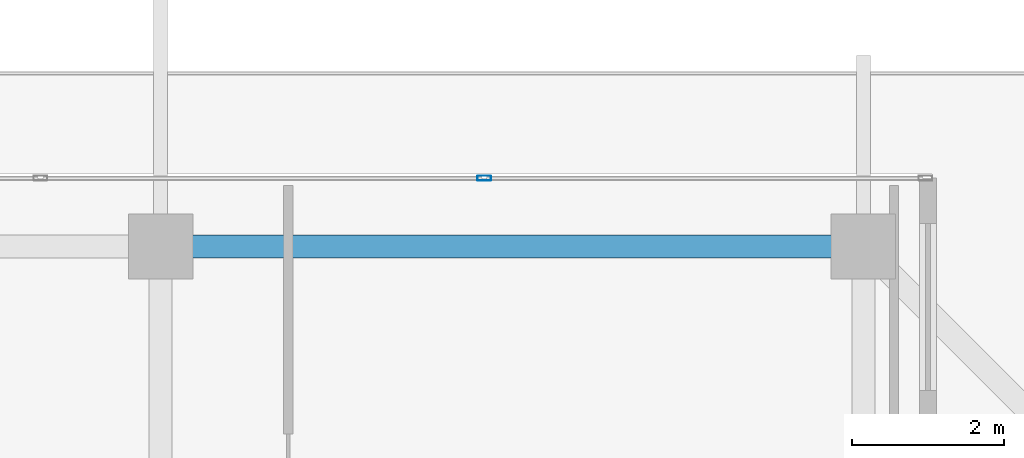
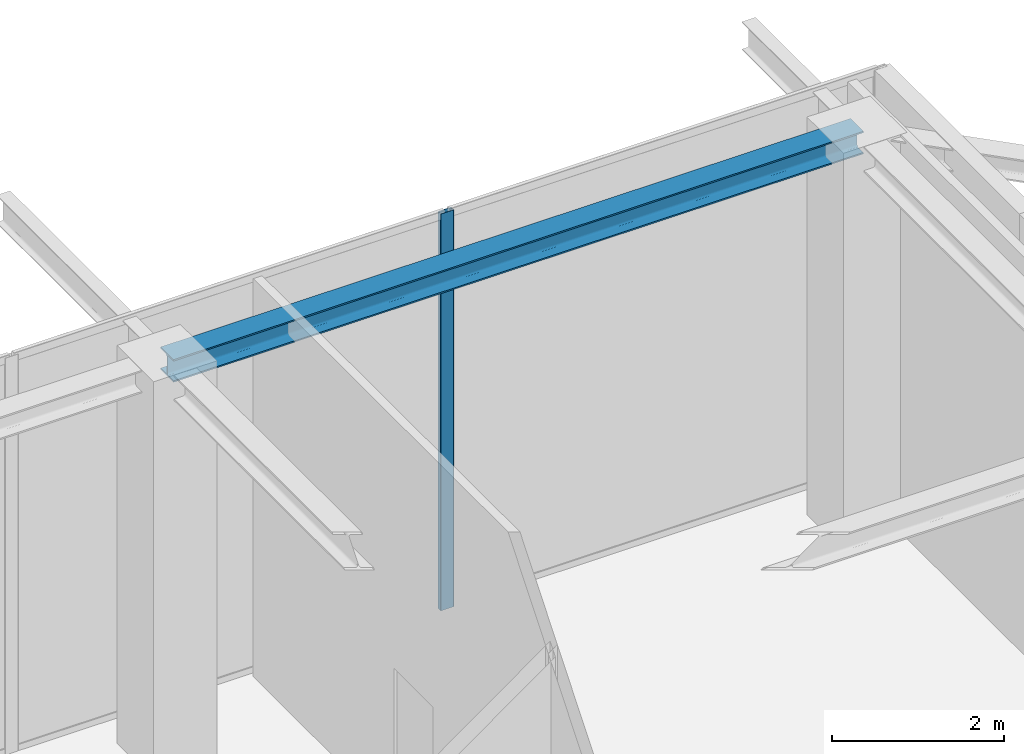
# One storey, part 22 of 38: 1 beam, 1 member, 1 element without a shape of its own.
"""IFC4 building model written with IfcOpenShell, lengths in metres."""

from ifc_helpers import new_model, si_unit, direction, frame, origin, origin_2d, place, context, subcontext, project, spatial, hollow_rectangle, i_section, extrude, source, transform, mapped, material, layer, layer_set, material_profile, profile_set, type_object, element, aggregate, save


model = new_model("IFC4")

# Units and contexts
model_context = context("Model", 3, precision=1e-05, world=origin(), true_north=direction((0.0, 1.0)))
body_context = subcontext(model_context, "Body", "Model", "MODEL_VIEW")
ifc_project = project(units=[si_unit("LENGTHUNIT", "METRE"), si_unit("AREAUNIT", "SQUARE_METRE"), si_unit("VOLUMEUNIT", "CUBIC_METRE"), si_unit("PLANEANGLEUNIT", "RADIAN"), si_unit("MASSUNIT", "GRAM", prefix="KILO")], contexts=[model_context])

# Site, building, storey
site_placement = place(None, origin())
site = spatial("IfcSite", under=ifc_project, at=site_placement, CompositionType="ELEMENT")
building_placement = place(site_placement, origin())
building = spatial("IfcBuilding", under=site, at=building_placement, Name="Serunith Strait Residences", CompositionType="ELEMENT")
storey_placement = place(building_placement, frame((0.0, 0.0, 342.050048828125)))
storey = spatial("IfcBuildingStorey", under=building, at=storey_placement, Name="L85", CompositionType="ELEMENT", Elevation=342.050048828125)

# Beam
ifc_material_1 = material(Name="Steel S355J2", Category="steel")
ifc_material_profile_1 = material_profile(ifc_material_1, i_section(OverallWidth=0.300048828125, OverallDepth=0.320068359375, WebThickness=0.011474609375, FlangeThickness=0.0205078125, FilletRadius=0.027099609375, at=origin_2d()), Name="HEB 320")
ifc_profile_set_1 = profile_set([ifc_material_profile_1], Name="Steel S355J2")
beam_type = type_object("IfcBeamType", Name="BM-HEB320", PredefinedType="BEAM", material=ifc_profile_set_1)
shared_shape_1 = source(origin(), body_context, "Body", "SweptSolid", [
    extrude(i_section(OverallWidth=0.300048828125, OverallDepth=0.320068359375, WebThickness=0.011474609375, FlangeThickness=0.0205078125, FilletRadius=0.027099609375, at=origin_2d()), origin(), (0.0, 0.0, 1.0), 9.25),
])
beam_placement = place(storey_placement, frame((46.14990234375, 45.5, 5.47705078125), z_axis=(-1.0, 0.0, 0.0), x_axis=(0.0, -1.0, 0.0)))
element("IfcBeam", 1, at=beam_placement, inside=storey, type_object=beam_type, Name="L85 Perimeter Ring Beam 09", PredefinedType="BEAM", context=body_context, shape_type="MappedRepresentation", body=[
    mapped(shared_shape_1, transform((0.0, 0.0, 0.0), scale=1.0)),
])

# Curtain wall, member
ifc_material_2 = material(Name="Brushed Stainless-Silver Aluminium", Category="aluminium")
ifc_layer = layer(ifc_material_2, 0.199951171875, Name="Brushed Stainless-Silver Aluminium")
ifc_layer_set = layer_set([ifc_layer], Name="Brushed Stainless-Silver Aluminium")
curtain_wall_type = type_object("IfcCurtainWallType", Name="CW-SYS5", PredefinedType="NOTDEFINED", material=ifc_layer_set)
curtain_wall_placement = place(storey_placement, origin())
curtain_wall = element("IfcCurtainWall", 2, at=curtain_wall_placement, inside=storey, type_object=curtain_wall_type, Name="L85 N Unitised Fritted Curtain Wall", PredefinedType="NOTDEFINED")
ifc_material_profile_2 = material_profile(ifc_material_2, hollow_rectangle(XDim=0.06494140625, YDim=0.179931640625, WallThickness=0.00341796875, InnerFilletRadius=0.00537109375, OuterFilletRadius=0.0087890625, at=origin_2d()), Name="ALU 180x65x3.5")
ifc_profile_set_2 = profile_set([ifc_material_profile_2], Name="Brushed Stainless-Silver Aluminium")
member_type = type_object("IfcMemberType", Name="CW-SYS5-MULL", PredefinedType="MULLION", material=ifc_profile_set_2)
shared_shape_2 = source(origin(), body_context, "Body", "SweptSolid", [
    extrude(hollow_rectangle(XDim=0.06494140625, YDim=0.179931640625, WallThickness=0.00341796875, InnerFilletRadius=0.00537109375, OuterFilletRadius=0.0087890625, at=origin_2d()), origin(), (0.0, 0.0, 1.0), 5.625),
])
member_placement = place(storey_placement, frame((41.159912109375, 46.39990234375, 0.0), z_axis=(0.0, 0.0, 1.0), x_axis=(0.0, -1.0, 0.0)))
member = element("IfcMember", 3, at=member_placement, type_object=member_type, Name="CW-5 mullion 2", PredefinedType="MULLION", context=body_context, shape_type="MappedRepresentation", body=[
    mapped(shared_shape_2, transform((0.0, 0.0, 0.0), scale=1.0)),
])
aggregate(curtain_wall, [member])

save(model, "model.ifc")
